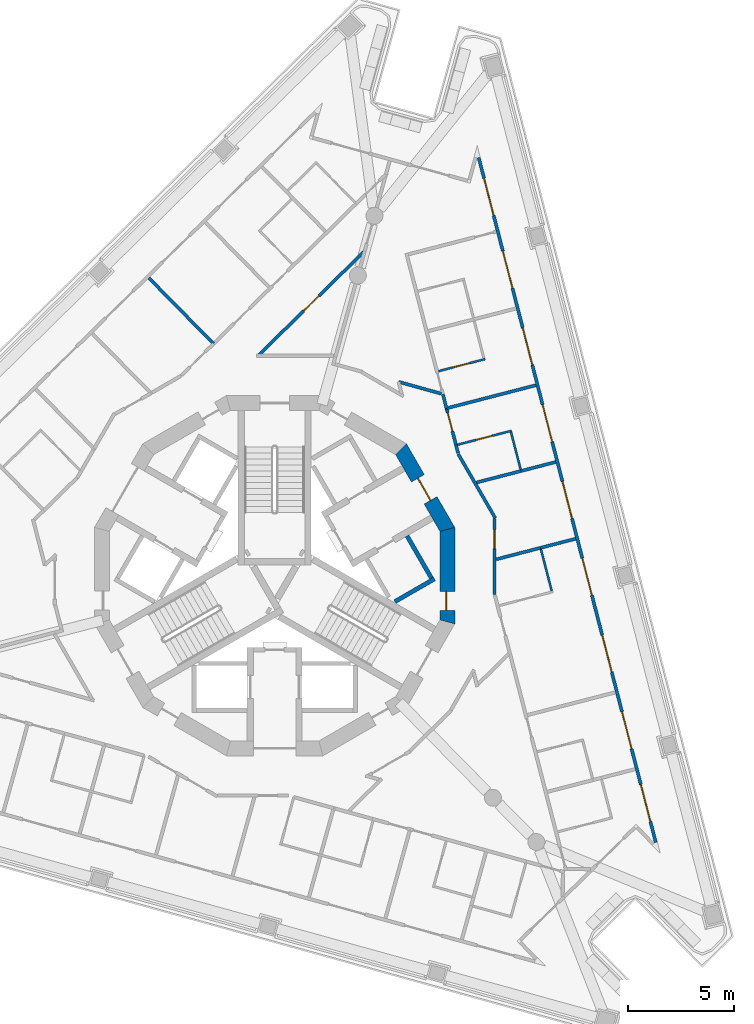
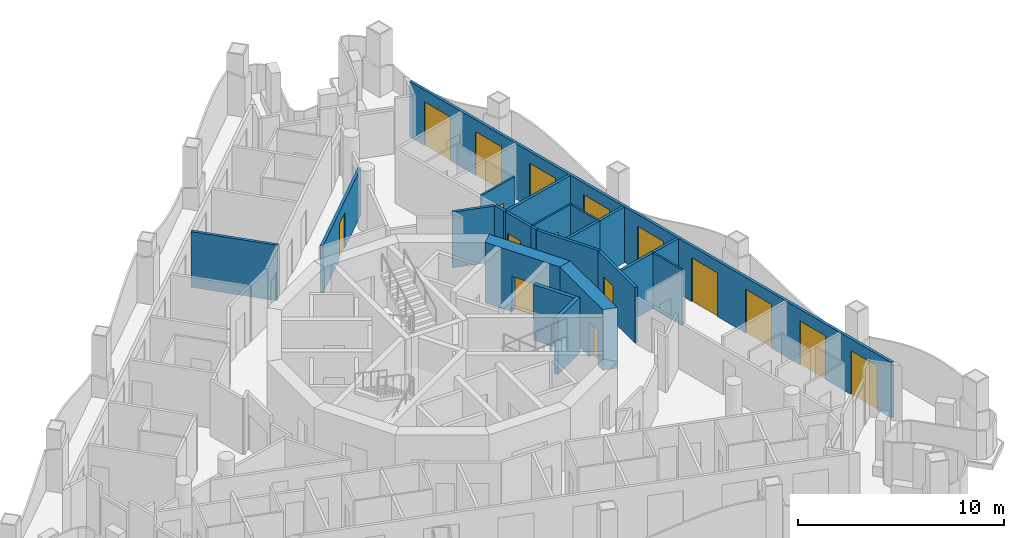
# One storey, part 7 of 15: 22 walls, 16 doors, 16 openings.
"""IFC4 building model written with IfcOpenShell, lengths in metres."""

import ifcopenshell
import ifcopenshell.guid

model = None  # the IFC model being written
_history = None  # IfcOwnerHistory: only IFC2X3 demands one
_inside = {}  # id of a spatial element -> (the spatial element, [elements in it])
_under = {}  # id of a project, library or spatial element -> (it, [spatial elements below it])
_declared = {}  # id of a project -> (the project, [libraries it declares])
_typed = {}  # id of a type object -> (the type object, [elements of that type])
_made_of = {}  # id of a material, layer set ... -> (it, [elements and type objects made of it])


def new_model(schema):
    """Start an empty IFC model of exactly this schema.

    Asked for "IFC4X3", IfcOpenShell would pick the latest addendum, in which some entities
    have other attributes; the version numbers below select the first issue.
    IFC2X3 requires an IfcOwnerHistory on every rooted entity: one is made here for all.
    """
    global model, _history
    if schema == "IFC4X3":
        model = ifcopenshell.file(schema_version=(4, 3, 0, 0))
    else:
        model = ifcopenshell.file(schema=schema)
    _inside.clear()
    _under.clear()
    _declared.clear()
    _typed.clear()
    _made_of.clear()
    _history = None
    if model.schema == "IFC2X3":
        org = make("IfcOrganization", Name="unknown")
        user = make(
            "IfcPersonAndOrganization",
            ThePerson=make("IfcPerson", FamilyName="unknown"),
            TheOrganization=org,
        )
        app = make(
            "IfcApplication",
            ApplicationDeveloper=org,
            Version="unknown",
            ApplicationFullName="unknown",
            ApplicationIdentifier="unknown",
        )
        _history = make(
            "IfcOwnerHistory",
            OwningUser=user,
            OwningApplication=app,
            ChangeAction="ADDED",
            CreationDate=0,
        )
    return model


def make(cls, **values):
    """One entity of the class cls with the attributes given. An attribute that is None is left unset."""
    return model.create_entity(
        cls, **{name: value for name, value in values.items() if value is not None}
    )


def rooted(cls, **values):
    """An entity with a GlobalId (a new one), such as an element, a storey or a relation."""
    return make(cls, GlobalId=ifcopenshell.guid.new(), OwnerHistory=_history, **values)


def si_unit(unit_type, name, prefix=None):
    """IfcSIUnit, for example si_unit("LENGTHUNIT", "METRE", prefix="MILLI")."""
    return make("IfcSIUnit", UnitType=unit_type, Prefix=prefix, Name=name)


def assignment(units):
    """IfcUnitAssignment: the units of a project."""
    return None if units is None else make("IfcUnitAssignment", Units=units)


def point(xyz):
    """IfcCartesianPoint."""
    return None if xyz is None else make("IfcCartesianPoint", Coordinates=xyz)


def direction(xyz):
    """IfcDirection."""
    return None if xyz is None else make("IfcDirection", DirectionRatios=xyz)


def frame(location, z_axis=None, x_axis=None):
    """IfcAxis2Placement3D, a coordinate frame: its origin and axes. An axis left out is left unset."""
    return make(
        "IfcAxis2Placement3D",
        Location=point(location),
        Axis=direction(z_axis),
        RefDirection=direction(x_axis),
    )


def frame_2d(location, x_axis=None):
    """IfcAxis2Placement2D, a coordinate frame in the plane: its origin and x axis."""
    return make(
        "IfcAxis2Placement2D", Location=point(location), RefDirection=direction(x_axis)
    )


def origin():
    """The frame at (0, 0, 0) with its axes left unset."""
    return frame((0.0, 0.0, 0.0))


def place(relative_to, where):
    """IfcLocalPlacement: puts the frame where relative to a parent placement (None: the world)."""
    return make(
        "IfcLocalPlacement", PlacementRelTo=relative_to, RelativePlacement=where
    )


def context(
    kind, dimensions, precision=None, world=None, true_north=None, identifier=None
):
    """IfcGeometricRepresentationContext, for example the 3D "Model" context."""
    return make(
        "IfcGeometricRepresentationContext",
        ContextIdentifier=identifier,
        ContextType=kind,
        CoordinateSpaceDimension=dimensions,
        Precision=precision,
        WorldCoordinateSystem=world,
        TrueNorth=true_north,
    )


def subcontext(parent, identifier, kind, view, scale=None):
    """IfcGeometricRepresentationSubContext, for example "Body" below "Model"."""
    return make(
        "IfcGeometricRepresentationSubContext",
        ContextIdentifier=identifier,
        ContextType=kind,
        ParentContext=parent,
        TargetScale=scale,
        TargetView=view,
    )


def project(units=None, contexts=None):
    """IfcProject with its units and contexts."""
    return rooted(
        "IfcProject",
        Name="project",
        RepresentationContexts=contexts,
        UnitsInContext=assignment(units),
    )


def spatial(cls, under=None, at=None, **own):
    """A site, building, storey or space (cls), placed at a placement, below another one or the project."""
    s = rooted(cls, ObjectPlacement=at, **own)
    if under is not None:
        _under.setdefault(under.id(), (under, []))[1].append(s)
    return s


def polyline(points):
    """IfcPolyline through the points."""
    return make("IfcPolyline", Points=[point(p) for p in points])


def profile(cls, at=None, kind="AREA", **sizes):
    """A parametric profile (cls). Its sizes go by their IFC names, for example OverallWidth=200.0."""
    return make(cls, ProfileType=kind, Position=at, **sizes)


def rectangle(**sizes):
    """IfcRectangleProfileDef."""
    return profile("IfcRectangleProfileDef", **sizes)


def outline(outer, holes=None, kind="AREA"):
    """IfcArbitraryClosedProfileDef: a profile drawn as a closed curve; with holes, ...WithVoids."""
    if holes is None:
        return make("IfcArbitraryClosedProfileDef", ProfileType=kind, OuterCurve=outer)
    return make(
        "IfcArbitraryProfileDefWithVoids",
        ProfileType=kind,
        OuterCurve=outer,
        InnerCurves=holes,
    )


def extrude(swept, where, along, depth):
    """IfcExtrudedAreaSolid: the profile swept, set in the frame where, extruded along a direction by depth."""
    return make(
        "IfcExtrudedAreaSolid",
        SweptArea=swept,
        Position=where,
        ExtrudedDirection=direction(along),
        Depth=depth,
    )


def shape(context_of_items, identifier, shape_type, items):
    """IfcShapeRepresentation: the items that make up one representation, for example the "Body"."""
    return make(
        "IfcShapeRepresentation",
        ContextOfItems=context_of_items,
        RepresentationIdentifier=identifier,
        RepresentationType=shape_type,
        Items=items,
    )


def material(Name=None, Category=None):
    """IfcMaterial."""
    return make("IfcMaterial", Name=Name, Category=Category)


def layer(
    of_material, thickness, ventilated=None, Name=None, Category=None, Priority=None
):
    """IfcMaterialLayer: one layer of a wall or slab, of a material (None: an air gap)."""
    return make(
        "IfcMaterialLayer",
        Material=of_material,
        LayerThickness=thickness,
        IsVentilated=ventilated,
        Name=Name,
        Category=Category,
        Priority=Priority,
    )


def layer_set(layers, Name=None):
    """IfcMaterialLayerSet."""
    return make("IfcMaterialLayerSet", MaterialLayers=layers, LayerSetName=Name)


def made_of(thing, what):
    """Note that an element or type object is made of a material, layer set ...; save() writes the relation."""
    if what is not None:
        _made_of.setdefault(what.id(), (what, []))[1].append(thing)
    return thing


def type_object(cls, material=None, **own):
    """A type object (cls), such as IfcWallType, which elements share."""
    return made_of(rooted(cls, **own), material)


def element(
    cls,
    number,
    at=None,
    inside=None,
    cuts=None,
    type_object=None,
    material=None,
    context=None,
    identifier="Body",
    shape_type=None,
    held_by="IfcProductDefinitionShape",
    body=None,
    shapes=None,
    **own,
):
    """One element of the class cls, such as IfcWall. Its Tag is "e" and its number.

    at: its placement. inside: the storey or other place that contains it. cuts: it is an
    opening in that element (IfcRelVoidsElement). A single representation is given by context,
    identifier, shape_type and body (its items); several are given by shapes. held_by: the class
    of the entity that holds the representations. save() writes the other relations.
    """
    e = rooted(cls, Tag="e%d" % number, ObjectPlacement=at, **own)
    if body is not None:
        shapes = [shape(context, identifier, shape_type, body)]
    if shapes is not None:
        e.Representation = make(held_by, Representations=shapes)
    if inside is not None:
        _inside.setdefault(inside.id(), (inside, []))[1].append(e)
    if cuts is not None:
        rooted(
            "IfcRelVoidsElement", RelatingBuildingElement=cuts, RelatedOpeningElement=e
        )
    if type_object is not None:
        _typed.setdefault(type_object.id(), (type_object, []))[1].append(e)
    return made_of(e, material)


def fill(opening, filler):
    """IfcRelFillsElement: the door or window that sits in an opening."""
    return rooted(
        "IfcRelFillsElement",
        RelatingOpeningElement=opening,
        RelatedBuildingElement=filler,
    )


def aggregate(whole, parts):
    """IfcRelAggregates: a whole, such as a stair, and the parts it consists of."""
    return rooted("IfcRelAggregates", RelatingObject=whole, RelatedObjects=parts)


def save(model, path):
    """Write the relations noted so far, then the file.

    IfcRelAggregates (storeys below a building ...), IfcRelContainedInSpatialStructure (elements
    in a storey), IfcRelDefinesByType, IfcRelAssociatesMaterial and IfcRelDeclares: one each for
    every whole, place, type object, material and project.
    """
    for whole, parts in _under.values():
        aggregate(whole, parts)
    for where, things in _inside.values():
        rooted(
            "IfcRelContainedInSpatialStructure",
            RelatedElements=things,
            RelatingStructure=where,
        )
    for kind, things in _typed.values():
        rooted("IfcRelDefinesByType", RelatedObjects=things, RelatingType=kind)
    for what, things in _made_of.values():
        rooted("IfcRelAssociatesMaterial", RelatedObjects=things, RelatingMaterial=what)
    for by, libraries in _declared.values():
        rooted("IfcRelDeclares", RelatingContext=by, RelatedDefinitions=libraries)
    model.write(path)


model = new_model("IFC4")

# Units and contexts
model_context = context("Model", 3, precision=1e-05, world=origin(), true_north=direction((0.0, 1.0)))
body_context = subcontext(model_context, "Body", "Model", "MODEL_VIEW")
ifc_project = project(units=[si_unit("LENGTHUNIT", "METRE"), si_unit("AREAUNIT", "SQUARE_METRE"), si_unit("VOLUMEUNIT", "CUBIC_METRE"), si_unit("PLANEANGLEUNIT", "RADIAN"), si_unit("MASSUNIT", "GRAM", prefix="KILO")], contexts=[model_context])

# Site, building, storey
site_placement = place(None, origin())
site = spatial("IfcSite", under=ifc_project, at=site_placement, CompositionType="ELEMENT")
building_placement = place(site_placement, origin())
building = spatial("IfcBuilding", under=site, at=building_placement, Name="Trine Commons Tower", CompositionType="ELEMENT")
storey_placement = place(building_placement, frame((0.0, 0.0, 260.10009765625)))
storey = spatial("IfcBuildingStorey", under=building, at=storey_placement, Name="L68", CompositionType="ELEMENT", Elevation=260.10009765625)

# Wall, openings, doors
ifc_material_1 = material(Name="Aluminium-framed insulated wall panel", Category="aluminium")
ifc_layer_1 = layer(ifc_material_1, 0.14990234375)
ifc_layer_set_1 = layer_set([ifc_layer_1], Name="Aluminium-framed insulated wall panel")
wall_type_1 = type_object("IfcWallType", Name="Glazed frame wall 150, EI 60", PredefinedType="SOLIDWALL", material=ifc_layer_set_1)
wall_1_placement = place(storey_placement, frame((89.59130859375, 82.377685546875, 0.0), z_axis=(0.0, 0.0, 1.0), x_axis=(0.250378839788, -0.968147941477, 0.0)))
wall_1 = element("IfcWall", 1, at=wall_1_placement, inside=storey, type_object=wall_type_1, Name="Glazed frame wall F2", PredefinedType="SOLIDWALL", context=body_context, shape_type="SweptSolid", body=[
    extrude(outline(polyline([(0.1494140625, 0.074951171875), (0.1494140625, -0.074951171875), (33.536865234375, -0.074951171875), (33.536865234375, 0.074951171875), (0.1494140625, 0.074951171875)])), origin(), (0.0, 0.0, 1.0), 3.2998046875),
])
opening_1_placement = place(wall_1_placement, frame((1.17138671875, 0.0, 0.0)))
opening_1 = element("IfcOpeningElement", 2, at=opening_1_placement, cuts=wall_1, Name="Opening BD-7F2-01", PredefinedType="OPENING", context=body_context, shape_type="SweptSolid", body=[
    extrude(rectangle(XDim=1.800048828125, YDim=2.60009765625, at=frame_2d((0.89990234375, 1.300048828125))), frame((0.0, 0.0849609375, 0.0), z_axis=(0.0, -1.0, 0.0), x_axis=(1.0, 0.0, 0.0)), (0.0, 0.0, 1.0), 0.169921875),
])
opening_2_placement = place(wall_1_placement, frame((4.71435546875, 0.0, 0.0)))
opening_2 = element("IfcOpeningElement", 3, at=opening_2_placement, cuts=wall_1, Name="Opening BD-7F2-02", PredefinedType="OPENING", context=body_context, shape_type="SweptSolid", body=[
    extrude(rectangle(XDim=1.800048828125, YDim=2.60009765625, at=frame_2d((0.89990234375, 1.300048828125))), frame((0.0, 0.0849609375, 0.0), z_axis=(0.0, -1.0, 0.0), x_axis=(1.0, 0.0, 0.0)), (0.0, 0.0, 1.0), 0.169921875),
])
opening_3_placement = place(wall_1_placement, frame((8.457275390625, 0.0, 0.0)))
opening_3 = element("IfcOpeningElement", 4, at=opening_3_placement, cuts=wall_1, Name="Opening BD-7F2-03", PredefinedType="OPENING", context=body_context, shape_type="SweptSolid", body=[
    extrude(rectangle(XDim=1.800048828125, YDim=2.60009765625, at=frame_2d((0.89990234375, 1.300048828125))), frame((0.0, 0.0849609375, 0.0), z_axis=(0.0, -1.0, 0.0), x_axis=(1.0, 0.0, 0.0)), (0.0, 0.0, 1.0), 0.169921875),
])
opening_4_placement = place(wall_1_placement, frame((12.2001953125, 0.0, 0.0)))
opening_4 = element("IfcOpeningElement", 5, at=opening_4_placement, cuts=wall_1, Name="Opening BD-7F2-04", PredefinedType="OPENING", context=body_context, shape_type="SweptSolid", body=[
    extrude(rectangle(XDim=1.800048828125, YDim=2.60009765625, at=frame_2d((0.89990234375, 1.300048828125))), frame((0.0, 0.0849609375, 0.0), z_axis=(0.0, -1.0, 0.0), x_axis=(1.0, 0.0, 0.0)), (0.0, 0.0, 1.0), 0.169921875),
])
opening_5_placement = place(wall_1_placement, frame((15.943115234375, 0.0, 0.0)))
opening_5 = element("IfcOpeningElement", 6, at=opening_5_placement, cuts=wall_1, Name="Opening BD-7F2-05", PredefinedType="OPENING", context=body_context, shape_type="SweptSolid", body=[
    extrude(rectangle(XDim=1.800048828125, YDim=2.60009765625, at=frame_2d((0.89990234375, 1.300048828125))), frame((0.0, 0.0849609375, 0.0), z_axis=(0.0, -1.0, 0.0), x_axis=(1.0, 0.0, 0.0)), (0.0, 0.0, 1.0), 0.169921875),
])
opening_6_placement = place(wall_1_placement, frame((19.68603515625, 0.0, 0.0)))
opening_6 = element("IfcOpeningElement", 7, at=opening_6_placement, cuts=wall_1, Name="Opening BD-7F2-06", PredefinedType="OPENING", context=body_context, shape_type="SweptSolid", body=[
    extrude(rectangle(XDim=1.800048828125, YDim=2.60009765625, at=frame_2d((0.89990234375, 1.300048828125))), frame((0.0, 0.0849609375, 0.0), z_axis=(0.0, -1.0, 0.0), x_axis=(1.0, 0.0, 0.0)), (0.0, 0.0, 1.0), 0.169921875),
])
opening_7_placement = place(wall_1_placement, frame((23.428955078125, 0.0, 0.0)))
opening_7 = element("IfcOpeningElement", 8, at=opening_7_placement, cuts=wall_1, Name="Opening BD-7F2-07", PredefinedType="OPENING", context=body_context, shape_type="SweptSolid", body=[
    extrude(rectangle(XDim=1.800048828125, YDim=2.60009765625, at=frame_2d((0.89990234375, 1.300048828125))), frame((0.0, 0.0849609375, 0.0), z_axis=(0.0, -1.0, 0.0), x_axis=(1.0, 0.0, 0.0)), (0.0, 0.0, 1.0), 0.169921875),
])
opening_8_placement = place(wall_1_placement, frame((27.171875, 0.0, 0.0)))
opening_8 = element("IfcOpeningElement", 9, at=opening_8_placement, cuts=wall_1, Name="Opening BD-7F2-08", PredefinedType="OPENING", context=body_context, shape_type="SweptSolid", body=[
    extrude(rectangle(XDim=1.800048828125, YDim=2.60009765625, at=frame_2d((0.89990234375, 1.300048828125))), frame((0.0, 0.0849609375, 0.0), z_axis=(0.0, -1.0, 0.0), x_axis=(1.0, 0.0, 0.0)), (0.0, 0.0, 1.0), 0.169921875),
])
opening_9_placement = place(wall_1_placement, frame((30.714599609375, 0.0, 0.0)))
opening_9 = element("IfcOpeningElement", 10, at=opening_9_placement, cuts=wall_1, Name="Opening BD-7F2-09", PredefinedType="OPENING", context=body_context, shape_type="SweptSolid", body=[
    extrude(rectangle(XDim=1.800048828125, YDim=2.60009765625, at=frame_2d((0.89990234375, 1.300048828125))), frame((0.0, 0.0849609375, 0.0), z_axis=(0.0, -1.0, 0.0), x_axis=(1.0, 0.0, 0.0)), (0.0, 0.0, 1.0), 0.169921875),
])
ifc_material_2 = material(Name="Anodised aluminium frame with double glazing", Category="aluminium")
door_type_1 = type_object("IfcDoorType", Name="Sliding loggia door 1800x2600", OperationType="SLIDING_TO_LEFT", PredefinedType="DOOR", material=ifc_material_2)
door_1_placement = place(opening_1_placement, origin())
door_1 = element("IfcDoor", 11, at=door_1_placement, inside=storey, type_object=door_type_1, Name="Loggia door F2 1", OperationType="SLIDING_TO_LEFT", OverallHeight=2.60009765625, OverallWidth=1.800048828125, PredefinedType="DOOR", context=body_context, shape_type="SweptSolid", body=[
    extrude(rectangle(XDim=1.800048828125, YDim=2.60009765625, at=frame_2d((0.89990234375, 1.300048828125))), frame((0.0, 0.02490234375, 0.0), z_axis=(0.0, -1.0, 0.0), x_axis=(1.0, 0.0, 0.0)), (0.0, 0.0, 1.0), 0.050048828125),
])
fill(opening_1, door_1)
door_2_placement = place(opening_2_placement, origin())
door_2 = element("IfcDoor", 12, at=door_2_placement, inside=storey, type_object=door_type_1, Name="Loggia door F2 2", OperationType="SLIDING_TO_LEFT", OverallHeight=2.60009765625, OverallWidth=1.800048828125, PredefinedType="DOOR", context=body_context, shape_type="SweptSolid", body=[
    extrude(rectangle(XDim=1.800048828125, YDim=2.60009765625, at=frame_2d((0.89990234375, 1.300048828125))), frame((0.0, 0.02490234375, 0.0), z_axis=(0.0, -1.0, 0.0), x_axis=(1.0, 0.0, 0.0)), (0.0, 0.0, 1.0), 0.050048828125),
])
fill(opening_2, door_2)
door_3_placement = place(opening_3_placement, origin())
door_3 = element("IfcDoor", 13, at=door_3_placement, inside=storey, type_object=door_type_1, Name="Loggia door F2 3", OperationType="SLIDING_TO_LEFT", OverallHeight=2.60009765625, OverallWidth=1.800048828125, PredefinedType="DOOR", context=body_context, shape_type="SweptSolid", body=[
    extrude(rectangle(XDim=1.800048828125, YDim=2.60009765625, at=frame_2d((0.89990234375, 1.300048828125))), frame((0.0, 0.02490234375, 0.0), z_axis=(0.0, -1.0, 0.0), x_axis=(1.0, 0.0, 0.0)), (0.0, 0.0, 1.0), 0.050048828125),
])
fill(opening_3, door_3)
door_4_placement = place(opening_4_placement, origin())
door_4 = element("IfcDoor", 14, at=door_4_placement, inside=storey, type_object=door_type_1, Name="Loggia door F2 4", OperationType="SLIDING_TO_LEFT", OverallHeight=2.60009765625, OverallWidth=1.800048828125, PredefinedType="DOOR", context=body_context, shape_type="SweptSolid", body=[
    extrude(rectangle(XDim=1.800048828125, YDim=2.60009765625, at=frame_2d((0.89990234375, 1.300048828125))), frame((0.0, 0.02490234375, 0.0), z_axis=(0.0, -1.0, 0.0), x_axis=(1.0, 0.0, 0.0)), (0.0, 0.0, 1.0), 0.050048828125),
])
fill(opening_4, door_4)
door_5_placement = place(opening_5_placement, origin())
door_5 = element("IfcDoor", 15, at=door_5_placement, inside=storey, type_object=door_type_1, Name="Loggia door F2 5", OperationType="SLIDING_TO_LEFT", OverallHeight=2.60009765625, OverallWidth=1.800048828125, PredefinedType="DOOR", context=body_context, shape_type="SweptSolid", body=[
    extrude(rectangle(XDim=1.800048828125, YDim=2.60009765625, at=frame_2d((0.89990234375, 1.300048828125))), frame((0.0, 0.02490234375, 0.0), z_axis=(0.0, -1.0, 0.0), x_axis=(1.0, 0.0, 0.0)), (0.0, 0.0, 1.0), 0.050048828125),
])
fill(opening_5, door_5)
door_6_placement = place(opening_6_placement, origin())
door_6 = element("IfcDoor", 16, at=door_6_placement, inside=storey, type_object=door_type_1, Name="Loggia door F2 6", OperationType="SLIDING_TO_LEFT", OverallHeight=2.60009765625, OverallWidth=1.800048828125, PredefinedType="DOOR", context=body_context, shape_type="SweptSolid", body=[
    extrude(rectangle(XDim=1.800048828125, YDim=2.60009765625, at=frame_2d((0.89990234375, 1.300048828125))), frame((0.0, 0.02490234375, 0.0), z_axis=(0.0, -1.0, 0.0), x_axis=(1.0, 0.0, 0.0)), (0.0, 0.0, 1.0), 0.050048828125),
])
fill(opening_6, door_6)
door_7_placement = place(opening_7_placement, origin())
door_7 = element("IfcDoor", 17, at=door_7_placement, inside=storey, type_object=door_type_1, Name="Loggia door F2 7", OperationType="SLIDING_TO_LEFT", OverallHeight=2.60009765625, OverallWidth=1.800048828125, PredefinedType="DOOR", context=body_context, shape_type="SweptSolid", body=[
    extrude(rectangle(XDim=1.800048828125, YDim=2.60009765625, at=frame_2d((0.89990234375, 1.300048828125))), frame((0.0, 0.02490234375, 0.0), z_axis=(0.0, -1.0, 0.0), x_axis=(1.0, 0.0, 0.0)), (0.0, 0.0, 1.0), 0.050048828125),
])
fill(opening_7, door_7)
door_8_placement = place(opening_8_placement, origin())
door_8 = element("IfcDoor", 18, at=door_8_placement, inside=storey, type_object=door_type_1, Name="Loggia door F2 8", OperationType="SLIDING_TO_LEFT", OverallHeight=2.60009765625, OverallWidth=1.800048828125, PredefinedType="DOOR", context=body_context, shape_type="SweptSolid", body=[
    extrude(rectangle(XDim=1.800048828125, YDim=2.60009765625, at=frame_2d((0.89990234375, 1.300048828125))), frame((0.0, 0.02490234375, 0.0), z_axis=(0.0, -1.0, 0.0), x_axis=(1.0, 0.0, 0.0)), (0.0, 0.0, 1.0), 0.050048828125),
])
fill(opening_8, door_8)
door_9_placement = place(opening_9_placement, origin())
door_9 = element("IfcDoor", 19, at=door_9_placement, inside=storey, type_object=door_type_1, Name="Loggia door F2 9", OperationType="SLIDING_TO_LEFT", OverallHeight=2.60009765625, OverallWidth=1.800048828125, PredefinedType="DOOR", context=body_context, shape_type="SweptSolid", body=[
    extrude(rectangle(XDim=1.800048828125, YDim=2.60009765625, at=frame_2d((0.89990234375, 1.300048828125))), frame((0.0, 0.02490234375, 0.0), z_axis=(0.0, -1.0, 0.0), x_axis=(1.0, 0.0, 0.0)), (0.0, 0.0, 1.0), 0.050048828125),
])
fill(opening_9, door_9)

# Wall, opening, door
ifc_material_3 = material(Name="Concrete C50/60", Category="concrete")
ifc_layer_2 = layer(ifc_material_3, 0.699951171875)
ifc_layer_set_2 = layer_set([ifc_layer_2], Name="Concrete C50/60")
wall_type_2 = type_object("IfcWallType", Name="RC shear wall 700 mm, C50/60", PredefinedType="SHEAR", material=ifc_layer_set_2)
wall_2_placement = place(storey_placement, frame((88.150146484375, 60.222412109375, 0.0), z_axis=(0.0, 0.0, 1.0), x_axis=(0.0, 1.0, 0.0)))
wall_2 = element("IfcWall", 20, at=wall_2_placement, inside=storey, type_object=wall_type_2, Name="Core wall CWG-01 L68", PredefinedType="SHEAR", context=body_context, shape_type="SweptSolid", body=[
    extrude(outline(polyline([(0.0, -0.35009765625), (4.55517578125, -0.35009765625), (4.36767578125, 0.35009765625), (0.1875, 0.35009765625), (0.0, -0.35009765625)])), origin(), (0.0, 0.0, 1.0), 3.599853515625),
])
opening_10_placement = place(wall_2_placement, frame((0.6416015625, 0.0, 0.0)))
opening_10 = element("IfcOpeningElement", 21, at=opening_10_placement, cuts=wall_2, Name="Opening K16.17", PredefinedType="OPENING", context=body_context, shape_type="SweptSolid", body=[
    extrude(rectangle(XDim=0.89990234375, YDim=2.10009765625, at=frame_2d((0.449951171875, 1.050048828125))), frame((0.0, 0.35986328125, 0.0), z_axis=(0.0, -1.0, 0.0), x_axis=(1.0, 0.0, 0.0)), (0.0, 0.0, 1.0), 0.719970703125),
])
ifc_material_4 = material(Name="Steel door leaf, fire-rated", Category="steel")
door_type_2 = type_object("IfcDoorType", Name="Core room door, single leaf 900 x 2100, FD30S", OperationType="SINGLE_SWING_LEFT", PredefinedType="DOOR", material=ifc_material_4)
door_10_placement = place(opening_10_placement, origin())
door_10 = element("IfcDoor", 22, at=door_10_placement, inside=storey, type_object=door_type_2, Name="Door to Accessible WC L68", OperationType="SINGLE_SWING_LEFT", OverallHeight=2.10009765625, OverallWidth=0.89990234375, PredefinedType="DOOR", context=body_context, shape_type="SweptSolid", body=[
    extrude(rectangle(XDim=0.89990234375, YDim=2.10009765625, at=frame_2d((0.449951171875, 1.050048828125))), frame((0.0, 0.0751953125, 0.0), z_axis=(0.0, -1.0, 0.0), x_axis=(1.0, 0.0, 0.0)), (0.0, 0.0, 1.0), 0.050048828125),
])
fill(opening_10, door_10)

wall_3_placement = place(storey_placement, frame((88.197021484375, 64.6025390625, 0.0), z_axis=(0.0, 0.0, 1.0), x_axis=(-0.499983800959, 0.866034756103, 0.0)))
wall_3 = element("IfcWall", 23, at=wall_3_placement, inside=storey, type_object=wall_type_2, Name="Core wall CWG-02 L68", PredefinedType="SHEAR", context=body_context, shape_type="SweptSolid", body=[
    extrude(outline(polyline([(0.0, -0.35009765625), (4.55517578125, -0.35009765625), (4.36767578125, 0.35009765625), (0.1875, 0.35009765625), (0.0, -0.35009765625)])), origin(), (0.0, 0.0, 1.0), 3.599853515625),
])
opening_11_placement = place(wall_3_placement, frame((1.677490234375, 0.0, 0.0)))
opening_11 = element("IfcOpeningElement", 24, at=opening_11_placement, cuts=wall_3, Name="Opening K16.04", PredefinedType="OPENING", context=body_context, shape_type="SweptSolid", body=[
    extrude(rectangle(XDim=1.199951171875, YDim=2.10009765625, at=frame_2d((0.60009765625, 1.050048828125))), frame((0.0, 0.35986328125, 0.0), z_axis=(0.0, -1.0, 0.0), x_axis=(1.0, 0.0, 0.0)), (0.0, 0.0, 1.0), 0.719970703125),
])
ifc_material_5 = material(Name="Steel door leaves, fire-rated", Category="steel")
door_type_3 = type_object("IfcDoorType", Name="Lobby door, double leaf 1200 x 2100, FD60", OperationType="DOUBLE_DOOR_SINGLE_SWING", PredefinedType="DOOR", material=ifc_material_5)
door_11_placement = place(opening_11_placement, origin())
door_11 = element("IfcDoor", 25, at=door_11_placement, inside=storey, type_object=door_type_3, Name="Lobby door, Core lounge L68", OperationType="DOUBLE_DOOR_SINGLE_SWING", OverallHeight=2.10009765625, OverallWidth=1.199951171875, PredefinedType="DOOR", context=body_context, shape_type="SweptSolid", body=[
    extrude(rectangle(XDim=1.199951171875, YDim=2.10009765625, at=frame_2d((0.60009765625, 1.050048828125))), frame((0.0, 0.02490234375, 0.0), z_axis=(0.0, -1.0, 0.0), x_axis=(1.0, 0.0, 0.0)), (0.0, 0.0, 1.0), 0.050048828125),
])
fill(opening_11, door_11)

# Walls
ifc_material_6 = material(Name="Fire-rated gypsum shaft wall system")
ifc_layer_3 = layer(ifc_material_6, 0.199951171875)
ifc_layer_set_3 = layer_set([ifc_layer_3], Name="Fire-rated gypsum shaft wall system")
wall_type_3 = type_object("IfcWallType", Name="Shaft wall 200 mm, EI 120", PredefinedType="PARTITIONING", material=ifc_layer_set_3)
wall_4_placement = place(storey_placement, frame((85.675048828125, 61.27392578125, 0.0), z_axis=(0.0, 0.0, 1.0), x_axis=(0.866102336459, 0.499866725018, 0.0)))
element("IfcWall", 26, at=wall_4_placement, inside=storey, type_object=wall_type_3, Name="Shaft wall L68", PredefinedType="PARTITIONING", context=body_context, shape_type="SweptSolid", body=[
    extrude(rectangle(XDim=2.1484375, YDim=0.199951171875, at=frame_2d((1.07421875, 0.0))), origin(), (0.0, 0.0, 1.0), 3.2998046875),
])
wall_5_placement = place(storey_placement, frame((86.2490234375, 64.3759765625, 0.0), z_axis=(0.0, 0.0, 1.0), x_axis=(0.500136062276, -0.86594683394, 0.0)))
element("IfcWall", 27, at=wall_5_placement, inside=storey, type_object=wall_type_3, Name="Shaft wall L68", PredefinedType="PARTITIONING", context=body_context, shape_type="SweptSolid", body=[
    extrude(rectangle(XDim=2.299072265625, YDim=0.199951171875, at=frame_2d((1.1494140625, 0.0))), origin(), (0.0, 0.0, 1.0), 3.2998046875),
])
ifc_material_7 = material(Name="Gypsum plasterboard on steel stud", Category="steel")
ifc_layer_4 = layer(ifc_material_7, 0.14990234375)
ifc_layer_set_4 = layer_set([ifc_layer_4], Name="Gypsum plasterboard on steel stud")
wall_type_4 = type_object("IfcWallType", Name="Unit and corridor wall 150 mm, EI 60", PredefinedType="PARTITIONING", material=ifc_layer_set_4)
wall_6_placement = place(storey_placement, frame((74.06005859375, 76.554443359375, 0.0), z_axis=(0.0, 0.0, 1.0), x_axis=(0.700948225768, -0.713212159734, 0.0)))
element("IfcWall", 28, at=wall_6_placement, inside=storey, type_object=wall_type_4, Name="Partition 044", PredefinedType="PARTITIONING", context=body_context, shape_type="SweptSolid", body=[
    extrude(rectangle(XDim=4.359619140625, YDim=0.14990234375, at=frame_2d((2.1796875, 0.0))), origin(), (0.0, 0.0, 1.0), 3.2998046875),
])

# Wall, opening, door
wall_7_placement = place(storey_placement, frame((79.265380859375, 72.927490234375, 0.0), z_axis=(0.0, 0.0, 1.0), x_axis=(0.713171352484, 0.700989744572, 0.0)))
wall_7 = element("IfcWall", 29, at=wall_7_placement, inside=storey, type_object=wall_type_4, Name="Partition 054", PredefinedType="PARTITIONING", context=body_context, shape_type="SweptSolid", body=[
    extrude(rectangle(XDim=6.914306640625, YDim=0.14990234375, at=frame_2d((3.45703125, 0.0))), origin(), (0.0, 0.0, 1.0), 2.7998046875),
])
opening_12_placement = place(wall_7_placement, frame((2.95703125, 0.0, 0.0)))
opening_12 = element("IfcOpeningElement", 30, at=opening_12_placement, cuts=wall_7, Name="Opening D-7C28", PredefinedType="OPENING", context=body_context, shape_type="SweptSolid", body=[
    extrude(rectangle(XDim=1.0, YDim=2.10009765625, at=frame_2d((0.5, 1.050048828125))), frame((0.0, 0.0849609375, 0.0), z_axis=(0.0, -1.0, 0.0), x_axis=(1.0, 0.0, 0.0)), (0.0, 0.0, 1.0), 0.169921875),
])
ifc_material_8 = material(Name="Painted timber", Category="wood")
door_type_4 = type_object("IfcDoorType", Name="Toilet door 1000 x 2100, NOT RATED", OperationType="NOTDEFINED", PredefinedType="DOOR", material=ifc_material_8)
door_12_placement = place(opening_12_placement, frame((1.0, 0.0, 0.0), z_axis=(0.0, 0.0, 1.0), x_axis=(-1.0, 0.0, 0.0)))
door_12 = element("IfcDoor", 31, at=door_12_placement, inside=storey, type_object=door_type_4, Name="Door D-7C28", OperationType="SINGLE_SWING_RIGHT", OverallHeight=2.10009765625, OverallWidth=1.0, PredefinedType="DOOR", context=body_context, shape_type="SweptSolid", body=[
    extrude(rectangle(XDim=1.0, YDim=2.10009765625, at=frame_2d((0.5, 1.050048828125))), frame((0.0, 0.02490234375, 0.0), z_axis=(0.0, -1.0, 0.0), x_axis=(1.0, 0.0, 0.0)), (0.0, 0.0, 1.0), 0.050048828125),
])
fill(opening_12, door_12)

# Walls
wall_8_placement = place(storey_placement, frame((85.85205078125, 71.64599609375, 0.0), z_axis=(0.0, 0.0, 1.0), x_axis=(0.963638385721, -0.267209770713, 0.0)))
element("IfcWall", 32, at=wall_8_placement, inside=storey, type_object=wall_type_4, Name="Partition 080", PredefinedType="PARTITIONING", context=body_context, shape_type="SweptSolid", body=[
    extrude(rectangle(XDim=2.088623046875, YDim=0.14990234375, at=frame_2d((1.04443359375, 0.0))), origin(), (0.0, 0.0, 1.0), 3.2998046875),
])
wall_9_placement = place(storey_placement, frame((87.93798828125, 71.06689453125, 0.0), z_axis=(0.0, 0.0, 1.0), x_axis=(0.250122032582, -0.968214319672, 0.0)))
element("IfcWall", 33, at=wall_9_placement, inside=storey, type_object=wall_type_4, Name="Partition 090", PredefinedType="PARTITIONING", context=body_context, shape_type="SweptSolid", body=[
    extrude(rectangle(XDim=0.696044921875, YDim=0.14990234375, at=frame_2d((0.34814453125, 0.0))), origin(), (0.0, 0.0, 1.0), 3.2998046875),
])
wall_10_placement = place(storey_placement, frame((88.036376953125, 70.377197265625, 0.0), z_axis=(0.0, 0.0, 1.0), x_axis=(0.968128504483, 0.25045398541, 0.0)))
element("IfcWall", 34, at=wall_10_placement, inside=storey, type_object=wall_type_4, Name="Partition 091", PredefinedType="PARTITIONING", context=body_context, shape_type="SweptSolid", body=[
    extrude(rectangle(XDim=4.435302734375, YDim=0.14990234375, at=frame_2d((2.2177734375, 0.0))), origin(), (0.0, 0.0, 1.0), 3.2998046875),
])

# Wall, opening, door
wall_11_placement = place(storey_placement, frame((88.12890625, 70.328369140625, 0.0), z_axis=(0.0, 0.0, 1.0), x_axis=(0.25028953049, -0.968171033923, 0.0)))
wall_11 = element("IfcWall", 35, at=wall_11_placement, inside=storey, type_object=wall_type_4, Name="Partition 092", PredefinedType="PARTITIONING", context=body_context, shape_type="SweptSolid", body=[
    extrude(rectangle(XDim=1.7763671875, YDim=0.14990234375, at=frame_2d((0.88818359375, 0.0))), origin(), (0.0, 0.0, 1.0), 3.2998046875),
])
opening_13_placement = place(wall_11_placement, frame((0.14990234375, 0.0, 0.0)))
opening_13 = element("IfcOpeningElement", 36, at=opening_13_placement, cuts=wall_11, Name="Opening D-7C13", PredefinedType="OPENING", context=body_context, shape_type="SweptSolid", body=[
    extrude(rectangle(XDim=0.89990234375, YDim=2.10009765625, at=frame_2d((0.449951171875, 1.050048828125))), frame((0.0, 0.0849609375, 0.0), z_axis=(0.0, -1.0, 0.0), x_axis=(1.0, 0.0, 0.0)), (0.0, 0.0, 1.0), 0.169921875),
])
ifc_material_9 = material(Name="Timber fire door set", Category="wood")
door_type_5 = type_object("IfcDoorType", Name="Bedroom door 900 x 2100, FD30S", OperationType="NOTDEFINED", PredefinedType="DOOR", material=ifc_material_9)
door_13_placement = place(opening_13_placement, origin())
door_13 = element("IfcDoor", 37, at=door_13_placement, inside=storey, type_object=door_type_5, Name="Door D-7C13", OperationType="SINGLE_SWING_LEFT", OverallHeight=2.10009765625, OverallWidth=0.89990234375, PredefinedType="DOOR", context=body_context, shape_type="SweptSolid", body=[
    extrude(rectangle(XDim=0.89990234375, YDim=2.10009765625, at=frame_2d((0.449951171875, 1.050048828125))), frame((0.0, 0.02490234375, 0.0), z_axis=(0.0, -1.0, 0.0), x_axis=(1.0, 0.0, 0.0)), (0.0, 0.0, 1.0), 0.050048828125),
])
fill(opening_13, door_13)

# Walls
wall_12_placement = place(storey_placement, frame((88.5576171875, 68.670654296875, 0.0), z_axis=(0.0, 0.0, 1.0), x_axis=(0.249564283258, -0.96835823357, 0.0)))
element("IfcWall", 38, at=wall_12_placement, inside=storey, type_object=wall_type_4, Name="Partition 095", PredefinedType="PARTITIONING", context=body_context, shape_type="SweptSolid", body=[
    extrude(rectangle(XDim=0.400146484375, YDim=0.14990234375, at=frame_2d((0.2001953125, 0.0))), origin(), (0.0, 0.0, 1.0), 3.2998046875),
])
wall_13_placement = place(storey_placement, frame((88.659912109375, 68.2490234375, 0.0), z_axis=(0.0, 0.0, 1.0), x_axis=(0.500223035479, -0.865896595891, 0.0)))
element("IfcWall", 39, at=wall_13_placement, inside=storey, type_object=wall_type_4, Name="Partition 096", PredefinedType="PARTITIONING", context=body_context, shape_type="SweptSolid", body=[
    extrude(rectangle(XDim=3.50390625, YDim=0.14990234375, at=frame_2d((1.751953125, 0.0))), origin(), (0.0, 0.0, 1.0), 3.2998046875),
])
wall_14_placement = place(storey_placement, frame((89.525634765625, 66.896728515625, 0.0), z_axis=(0.0, 0.0, 1.0), x_axis=(0.96820093058, 0.250173855596, 0.0)))
element("IfcWall", 40, at=wall_14_placement, inside=storey, type_object=wall_type_4, Name="Partition 105", PredefinedType="PARTITIONING", context=body_context, shape_type="SweptSolid", body=[
    extrude(rectangle(XDim=2.17138671875, YDim=0.14990234375, at=frame_2d((1.085693359375, 0.0))), origin(), (0.0, 0.0, 1.0), 3.2998046875),
])

# Wall, opening, door
wall_15_placement = place(storey_placement, frame((90.375, 61.616943359375, 0.0), z_axis=(0.0, 0.0, 1.0), x_axis=(0.0, 1.0, 0.0)))
wall_15 = element("IfcWall", 41, at=wall_15_placement, inside=storey, type_object=wall_type_4, Name="Partition 107", PredefinedType="PARTITIONING", context=body_context, shape_type="SweptSolid", body=[
    extrude(rectangle(XDim=3.588134765625, YDim=0.14990234375, at=frame_2d((1.7939453125, 0.0))), origin(), (0.0, 0.0, 1.0), 3.2998046875),
])
opening_14_placement = place(wall_15_placement, frame((2.160400390625, 0.0, 0.0)))
opening_14 = element("IfcOpeningElement", 42, at=opening_14_placement, cuts=wall_15, Name="Opening D-7C14", PredefinedType="OPENING", context=body_context, shape_type="SweptSolid", body=[
    extrude(rectangle(XDim=0.89990234375, YDim=2.10009765625, at=frame_2d((0.449951171875, 1.050048828125))), frame((0.0, 0.0849609375, 0.0), z_axis=(0.0, -1.0, 0.0), x_axis=(1.0, 0.0, 0.0)), (0.0, 0.0, 1.0), 0.169921875),
])
door_type_6 = type_object("IfcDoorType", Name="Service door 900 x 2100, FD30S", OperationType="NOTDEFINED", PredefinedType="DOOR", material=ifc_material_9)
door_14_placement = place(opening_14_placement, frame((0.89990234375, 0.0, 0.0), z_axis=(0.0, 0.0, 1.0), x_axis=(-1.0, 0.0, 0.0)))
door_14 = element("IfcDoor", 43, at=door_14_placement, inside=storey, type_object=door_type_6, Name="Door D-7C14", OperationType="SINGLE_SWING_LEFT", OverallHeight=2.10009765625, OverallWidth=0.89990234375, PredefinedType="DOOR", context=body_context, shape_type="SweptSolid", body=[
    extrude(rectangle(XDim=0.89990234375, YDim=2.10009765625, at=frame_2d((0.449951171875, 1.050048828125))), frame((0.0, 0.02490234375, 0.0), z_axis=(0.0, -1.0, 0.0), x_axis=(1.0, 0.0, 0.0)), (0.0, 0.0, 1.0), 0.050048828125),
])
fill(opening_14, door_14)

# Walls
wall_16_placement = place(storey_placement, frame((90.447509765625, 63.268798828125, 0.0), z_axis=(0.0, 0.0, 1.0), x_axis=(0.968046390525, 0.250771182139, 0.0)))
element("IfcWall", 44, at=wall_16_placement, inside=storey, type_object=wall_type_4, Name="Partition 108", PredefinedType="PARTITIONING", context=body_context, shape_type="SweptSolid", body=[
    extrude(rectangle(XDim=2.174072265625, YDim=0.14990234375, at=frame_2d((1.0869140625, 0.0))), origin(), (0.0, 0.0, 1.0), 3.2998046875),
])
wall_17_placement = place(storey_placement, frame((91.6279296875, 67.43994140625, 0.0), z_axis=(0.0, 0.0, 1.0), x_axis=(0.968134256409, 0.250431750318, 0.0)))
element("IfcWall", 45, at=wall_17_placement, inside=storey, type_object=wall_type_4, Name="Partition 113", PredefinedType="PARTITIONING", context=body_context, shape_type="SweptSolid", body=[
    extrude(rectangle(XDim=1.693359375, YDim=0.14990234375, at=frame_2d((0.8466796875, 0.0))), origin(), (0.0, 0.0, 1.0), 3.2998046875),
])
wall_18_placement = place(storey_placement, frame((92.544921875, 63.81201171875, 0.0), z_axis=(0.0, 0.0, 1.0), x_axis=(0.968176076017, 0.250270025829, 0.0)))
element("IfcWall", 46, at=wall_18_placement, inside=storey, type_object=wall_type_4, Name="Partition 117", PredefinedType="PARTITIONING", context=body_context, shape_type="SweptSolid", body=[
    extrude(rectangle(XDim=1.7138671875, YDim=0.14990234375, at=frame_2d((0.85693359375, 0.0))), origin(), (0.0, 0.0, 1.0), 3.2998046875),
])

# Wall, opening, door
ifc_layer_5 = layer(ifc_material_7, 0.10009765625)
ifc_layer_set_5 = layer_set([ifc_layer_5], Name="Gypsum plasterboard on steel stud")
wall_type_5 = type_object("IfcWallType", Name="Unit partition 100 mm, no rating", PredefinedType="PARTITIONING", material=ifc_layer_set_5)
wall_19_placement = place(storey_placement, frame((87.732666015625, 72.15087890625, 0.0), z_axis=(0.0, 0.0, 1.0), x_axis=(0.968154087165, 0.250355074856, 0.0)))
wall_19 = element("IfcWall", 47, at=wall_19_placement, inside=storey, type_object=wall_type_5, Name="Partition 089", PredefinedType="PARTITIONING", context=body_context, shape_type="SweptSolid", body=[
    extrude(rectangle(XDim=2.275146484375, YDim=0.10009765625, at=frame_2d((1.1376953125, 0.0))), origin(), (0.0, 0.0, 1.0), 3.2998046875),
])
opening_15_placement = place(wall_19_placement, frame((0.712646484375, 0.0, 0.0)))
opening_15 = element("IfcOpeningElement", 48, at=opening_15_placement, cuts=wall_19, Name="Opening D-7C34", PredefinedType="OPENING", context=body_context, shape_type="SweptSolid", body=[
    extrude(rectangle(XDim=0.800048828125, YDim=2.10009765625, at=frame_2d((0.39990234375, 1.050048828125))), frame((0.0, 0.06005859375, 0.0), z_axis=(0.0, -1.0, 0.0), x_axis=(1.0, 0.0, 0.0)), (0.0, 0.0, 1.0), 0.1201171875),
])
door_type_7 = type_object("IfcDoorType", Name="Internal door 800 x 2100, NOT RATED", OperationType="NOTDEFINED", PredefinedType="DOOR", material=ifc_material_8)
door_15_placement = place(opening_15_placement, frame((0.800048828125, 0.0, 0.0), z_axis=(0.0, 0.0, 1.0), x_axis=(-1.0, 0.0, 0.0)))
door_15 = element("IfcDoor", 49, at=door_15_placement, inside=storey, type_object=door_type_7, Name="Door D-7C34", OperationType="SINGLE_SWING_RIGHT", OverallHeight=2.10009765625, OverallWidth=0.800048828125, PredefinedType="DOOR", context=body_context, shape_type="SweptSolid", body=[
    extrude(rectangle(XDim=0.800048828125, YDim=2.10009765625, at=frame_2d((0.39990234375, 1.050048828125))), frame((0.0, 0.02490234375, 0.0), z_axis=(0.0, -1.0, 0.0), x_axis=(1.0, 0.0, 0.0)), (0.0, 0.0, 1.0), 0.050048828125),
])
fill(opening_15, door_15)

wall_20_placement = place(storey_placement, frame((88.630615234375, 68.6787109375, 0.0), z_axis=(0.0, 0.0, 1.0), x_axis=(0.968114849412, 0.250506763077, 0.0)))
wall_20 = element("IfcWall", 50, at=wall_20_placement, inside=storey, type_object=wall_type_5, Name="Partition 094", PredefinedType="PARTITIONING", context=body_context, shape_type="SweptSolid", body=[
    extrude(rectangle(XDim=2.64208984375, YDim=0.10009765625, at=frame_2d((1.321044921875, 0.0))), origin(), (0.0, 0.0, 1.0), 3.2998046875),
])
opening_16_placement = place(wall_20_placement, frame((0.89599609375, 0.0, 0.0)))
opening_16 = element("IfcOpeningElement", 51, at=opening_16_placement, cuts=wall_20, Name="Opening D-7C35", PredefinedType="OPENING", context=body_context, shape_type="SweptSolid", body=[
    extrude(rectangle(XDim=0.800048828125, YDim=2.10009765625, at=frame_2d((0.39990234375, 1.050048828125))), frame((0.0, 0.06005859375, 0.0), z_axis=(0.0, -1.0, 0.0), x_axis=(1.0, 0.0, 0.0)), (0.0, 0.0, 1.0), 0.1201171875),
])
door_16_placement = place(opening_16_placement, origin())
door_16 = element("IfcDoor", 52, at=door_16_placement, inside=storey, type_object=door_type_7, Name="Door D-7C35", OperationType="SINGLE_SWING_LEFT", OverallHeight=2.10009765625, OverallWidth=0.800048828125, PredefinedType="DOOR", context=body_context, shape_type="SweptSolid", body=[
    extrude(rectangle(XDim=0.800048828125, YDim=2.10009765625, at=frame_2d((0.39990234375, 1.050048828125))), frame((0.0, 0.02490234375, 0.0), z_axis=(0.0, -1.0, 0.0), x_axis=(1.0, 0.0, 0.0)), (0.0, 0.0, 1.0), 0.050048828125),
])
fill(opening_16, door_16)

# Walls
wall_21_placement = place(storey_placement, frame((91.152587890625, 69.279541015625, 0.0), z_axis=(0.0, 0.0, 1.0), x_axis=(0.250177423801, -0.968200008583, 0.0)))
element("IfcWall", 53, at=wall_21_placement, inside=storey, type_object=wall_type_5, Name="Partition 111", PredefinedType="PARTITIONING", context=body_context, shape_type="SweptSolid", body=[
    extrude(rectangle(XDim=1.824951171875, YDim=0.10009765625, at=frame_2d((0.91259765625, 0.0))), origin(), (0.0, 0.0, 1.0), 3.2998046875),
])
wall_22_placement = place(storey_placement, frame((92.56787109375, 63.739501953125, 0.0), z_axis=(0.0, 0.0, 1.0), x_axis=(0.25066924096, -0.96807279253, 0.0)))
element("IfcWall", 54, at=wall_22_placement, inside=storey, type_object=wall_type_5, Name="Partition 118", PredefinedType="PARTITIONING", context=body_context, shape_type="SweptSolid", body=[
    extrude(rectangle(XDim=2.02490234375, YDim=0.10009765625, at=frame_2d((1.012451171875, 0.0))), origin(), (0.0, 0.0, 1.0), 3.2998046875),
])

save(model, "model.ifc")
